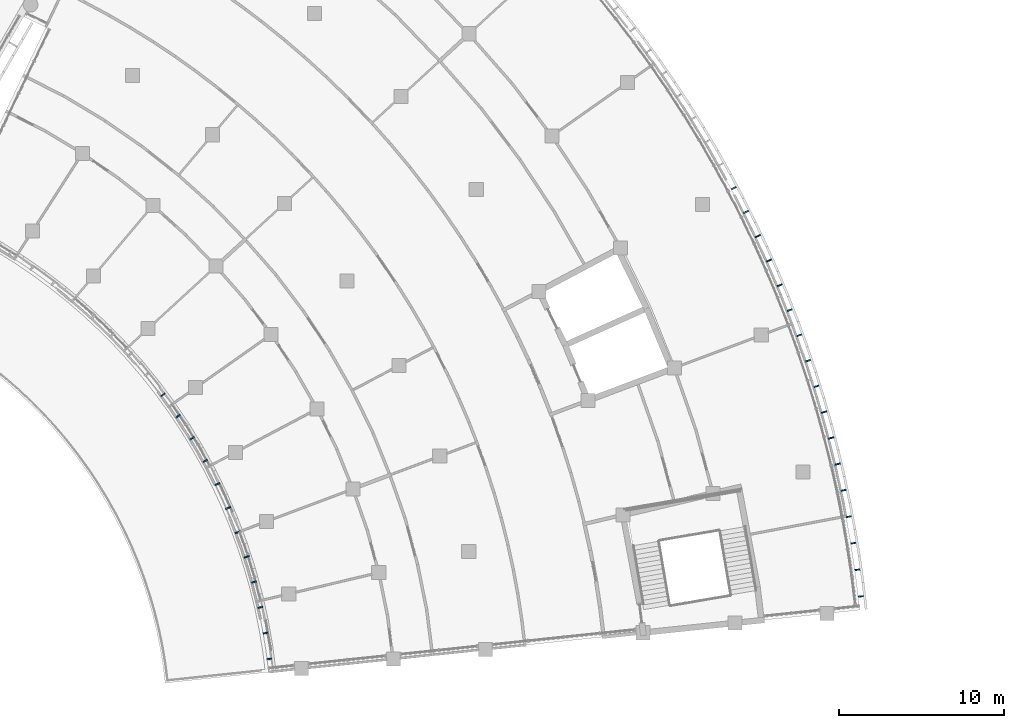
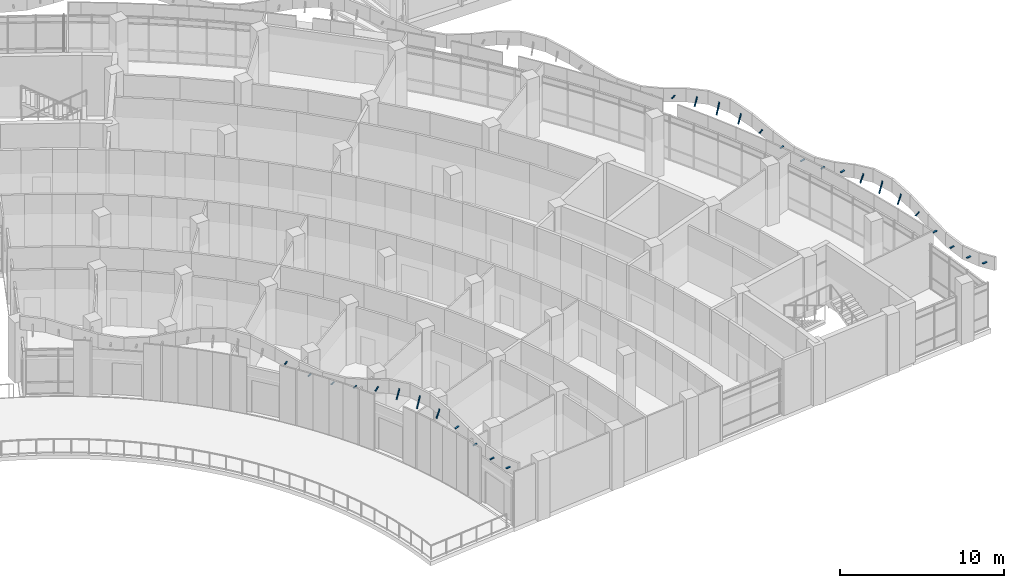
# One storey, part 107 of 136: 29 discrete accessories.
"""IFC4 building model written with IfcOpenShell, lengths in metres."""

from ifc_helpers import new_model, si_unit, direction, frame, origin, origin_2d, place, context, subcontext, project, spatial, rectangle, extrude, material, material_profile, profile_set, type_object, element, save


model = new_model("IFC4")

# Units and contexts
model_context = context("Model", 3, precision=1e-05, world=origin(), true_north=direction((0.0, 1.0)))
body_context = subcontext(model_context, "Body", "Model", "MODEL_VIEW")
ifc_project = project(units=[si_unit("LENGTHUNIT", "METRE"), si_unit("AREAUNIT", "SQUARE_METRE"), si_unit("VOLUMEUNIT", "CUBIC_METRE"), si_unit("PLANEANGLEUNIT", "RADIAN"), si_unit("MASSUNIT", "GRAM", prefix="KILO")], contexts=[model_context])

# Site, building, storey
site_placement = place(None, origin())
site = spatial("IfcSite", under=ifc_project, at=site_placement, CompositionType="ELEMENT")
building_placement = place(site_placement, origin())
building = spatial("IfcBuilding", under=site, at=building_placement, Name="Bougainvillea Quay General Hospital", CompositionType="ELEMENT")
storey_placement = place(building_placement, frame((0.0, 0.0, 5.39990234375)))
storey = spatial("IfcBuildingStorey", under=building, at=storey_placement, Name="L01", CompositionType="ELEMENT", Elevation=5.39990234375)

# Discrete accessories
ifc_material = material(Name="Stainless steel bracket, grade 316", Category="steel")
ifc_material_profile = material_profile(ifc_material, rectangle(XDim=0.080078125, YDim=0.050048828125, at=origin_2d()))
ifc_profile_set = profile_set([ifc_material_profile], Name="Stainless steel bracket, grade 316")
discrete_accessory_type = type_object("IfcDiscreteAccessoryType", Name="Stainless steel stand-off bracket 80x50", PredefinedType="BRACKET", material=ifc_profile_set)
for number, where, z_axis, x_axis, name in (
    (1, (136.49560546875, 42.256591796875, 4.320556640625), (0.802922012097, 0.596084090117, 0.0), (-0.596084090117, 0.802922012097, 0.0), "Fascia bracket a21 11"),
    (2, (137.406005859375, 40.968505859375, 3.87353515625), (0.82991408649, 0.557891216139, 0.0), (-0.557891216139, 0.82991408649, 0.0), "Fascia bracket a21 12"),
):
    element("IfcDiscreteAccessory", number, at=place(storey_placement, frame(where, z_axis=z_axis, x_axis=x_axis)), inside=storey, type_object=discrete_accessory_type, Name=name, PredefinedType="BRACKET", context=body_context, shape_type="SweptSolid", body=[
        extrude(rectangle(XDim=0.080078125, YDim=0.050048828125, at=origin_2d()), origin(), (0.0, 0.0, 1.0), 0.2998046875),
    ])
discrete_accessory_1_placement = place(storey_placement, frame((138.255615234375, 39.639404296875, 3.770751953125), z_axis=(0.85460693144, 0.51927544977, 0.0), x_axis=(-0.51927544977, 0.85460693144, 0.0)))
element("IfcDiscreteAccessory", 3, at=discrete_accessory_1_placement, inside=storey, type_object=discrete_accessory_type, Name="Fascia bracket a21 13", PredefinedType="BRACKET", context=body_context, shape_type="SweptSolid", body=[
    extrude(rectangle(XDim=0.080078125, YDim=0.050048828125, at=origin_2d()), origin(), (0.0, 0.0, 1.0), 0.300048828125),
])
discrete_accessory_2_placement = place(storey_placement, frame((139.042724609375, 38.2724609375, 4.068603515625), z_axis=(0.877895572914, 0.478852130681, 0.0), x_axis=(-0.478852130681, 0.877895572914, 0.0)))
element("IfcDiscreteAccessory", 4, at=discrete_accessory_2_placement, inside=storey, type_object=discrete_accessory_type, Name="Fascia bracket a21 14", PredefinedType="BRACKET", context=body_context, shape_type="SweptSolid", body=[
    extrude(rectangle(XDim=0.080078125, YDim=0.050048828125, at=origin_2d()), origin(), (0.0, 0.0, 1.0), 0.2998046875),
])
discrete_accessory_3_placement = place(storey_placement, frame((139.765380859375, 36.870361328125, 4.440185546875), z_axis=(0.789682669888, 0.384478983167, 0.478097471633), x_axis=(-0.437750214358, 0.899096629862, 0.0)))
element("IfcDiscreteAccessory", 5, at=discrete_accessory_3_placement, inside=storey, type_object=discrete_accessory_type, Name="Fascia bracket a21 15", PredefinedType="BRACKET", context=body_context, shape_type="SweptSolid", body=[
    extrude(rectangle(XDim=0.080078125, YDim=0.050048828125, at=origin_2d()), origin(), (0.0, 0.0, 1.0), 0.341552734375),
])
discrete_accessory_4_placement = place(storey_placement, frame((140.42236328125, 35.436279296875, 4.440185546875), z_axis=(0.389264848396, 0.167566622073, 0.905756206145), x_axis=(-0.39539162244, 0.918512637313, 0.0)))
element("IfcDiscreteAccessory", 6, at=discrete_accessory_4_placement, inside=storey, type_object=discrete_accessory_type, Name="Fascia bracket a21 16", PredefinedType="BRACKET", context=body_context, shape_type="SweptSolid", body=[
    extrude(rectangle(XDim=0.080078125, YDim=0.050048828125, at=origin_2d()), origin(), (0.0, 0.0, 1.0), 0.7080078125),
])
discrete_accessory_5_placement = place(storey_placement, frame((141.01220703125, 33.973388671875, 4.440185546875), z_axis=(0.328588622924, 0.123720759762, 0.936334710715), x_axis=(-0.352371686123, 0.935860136355, 0.0)))
element("IfcDiscreteAccessory", 7, at=discrete_accessory_5_placement, inside=storey, type_object=discrete_accessory_type, Name="Fascia bracket a21 17", PredefinedType="BRACKET", context=body_context, shape_type="SweptSolid", body=[
    extrude(rectangle(XDim=0.080078125, YDim=0.050048828125, at=origin_2d()), origin(), (0.0, 0.0, 1.0), 0.8544921875),
])
discrete_accessory_6_placement = place(storey_placement, frame((141.533447265625, 32.484619140625, 4.440185546875), z_axis=(0.454265057195, 0.14727669519, 0.878608463916), x_axis=(-0.308405198137, 0.951255083436, 0.0)))
element("IfcDiscreteAccessory", 8, at=discrete_accessory_6_placement, inside=storey, type_object=discrete_accessory_type, Name="Fascia bracket a21 18", PredefinedType="BRACKET", context=body_context, shape_type="SweptSolid", body=[
    extrude(rectangle(XDim=0.080078125, YDim=0.050048828125, at=origin_2d()), origin(), (0.0, 0.0, 1.0), 0.628173828125),
])
discrete_accessory_7_placement = place(storey_placement, frame((141.98486328125, 30.97314453125, 4.440185546875), z_axis=(0.958428039941, 0.262638375195, 0.111520294698), x_axis=(-0.264286955841, 0.96444409116, 0.0)))
element("IfcDiscreteAccessory", 9, at=discrete_accessory_7_placement, inside=storey, type_object=discrete_accessory_type, Name="Fascia bracket a21 19", PredefinedType="BRACKET", context=body_context, shape_type="SweptSolid", body=[
    extrude(rectangle(XDim=0.080078125, YDim=0.050048828125, at=origin_2d()), origin(), (0.0, 0.0, 1.0), 0.302001953125),
])
for number, where, z_axis, x_axis, name in (
    (10, (142.365966796875, 29.442626953125, 3.969970703125), (0.975744639725, 0.218911849947, 0.0), (-0.218911849947, 0.975744639725, 0.0), "Fascia bracket a21 20"),
    (11, (142.675537109375, 27.895751953125, 3.757080078125), (0.984857215631, 0.173367427214, 0.0), (-0.173367427214, 0.984857215631, 0.0), "Fascia bracket a21 21"),
    (12, (142.9130859375, 26.33642578125, 3.951171875), (0.991807819427, 0.127738989048, 0.0), (-0.127738989048, 0.991807819427, 0.0), "Fascia bracket a21 22"),
    (13, (178.72265625, 30.123779296875, 4.392333984375), (0.993305209587, 0.115519524784, 0.0), (-0.115519524784, 0.993305209587, 0.0), "Fascia bracket a23 1"),
):
    element("IfcDiscreteAccessory", number, at=place(storey_placement, frame(where, z_axis=z_axis, x_axis=x_axis)), inside=storey, type_object=discrete_accessory_type, Name=name, PredefinedType="BRACKET", context=body_context, shape_type="SweptSolid", body=[
        extrude(rectangle(XDim=0.080078125, YDim=0.050048828125, at=origin_2d()), origin(), (0.0, 0.0, 1.0), 0.300048828125),
    ])
discrete_accessory_8_placement = place(storey_placement, frame((178.515625, 31.734619140625, 3.91015625), z_axis=(0.990256578838, 0.139254831399, 0.0), x_axis=(-0.139254831399, 0.990256578838, 0.0)))
element("IfcDiscreteAccessory", 14, at=discrete_accessory_8_placement, inside=storey, type_object=discrete_accessory_type, Name="Fascia bracket a23 2", PredefinedType="BRACKET", context=body_context, shape_type="SweptSolid", body=[
    extrude(rectangle(XDim=0.080078125, YDim=0.050048828125, at=origin_2d()), origin(), (0.0, 0.0, 1.0), 0.2998046875),
])
for number, where, z_axis, x_axis, name in (
    (15, (178.27099609375, 33.34033203125, 3.765869140625), (0.986808496328, 0.161891913248, 0.0), (-0.161891913248, 0.986808496328, 0.0), "Fascia bracket a23 3"),
    (16, (177.9892578125, 34.93994140625, 4.04345703125), (0.982798426124, 0.184681492326, 0.0), (-0.184681492326, 0.982798426124, 0.0), "Fascia bracket a23 4"),
):
    element("IfcDiscreteAccessory", number, at=place(storey_placement, frame(where, z_axis=z_axis, x_axis=x_axis)), inside=storey, type_object=discrete_accessory_type, Name=name, PredefinedType="BRACKET", context=body_context, shape_type="SweptSolid", body=[
        extrude(rectangle(XDim=0.080078125, YDim=0.050048828125, at=origin_2d()), origin(), (0.0, 0.0, 1.0), 0.300048828125),
    ])
discrete_accessory_9_placement = place(storey_placement, frame((177.67041015625, 36.532470703125, 4.440185546875), z_axis=(0.882958704969, 0.187316530588, 0.430460733038), x_axis=(-0.207527808066, 0.978229118806, 0.0)))
element("IfcDiscreteAccessory", 17, at=discrete_accessory_9_placement, inside=storey, type_object=discrete_accessory_type, Name="Fascia bracket a23 5", PredefinedType="BRACKET", context=body_context, shape_type="SweptSolid", body=[
    extrude(rectangle(XDim=0.080078125, YDim=0.050048828125, at=origin_2d()), origin(), (0.0, 0.0, 1.0), 0.332275390625),
])
discrete_accessory_10_placement = place(storey_placement, frame((177.31494140625, 38.1171875, 4.440185546875), z_axis=(0.415615918947, 0.098343900553, 0.904207877173), x_axis=(-0.230263632702, 0.973128285199, 0.0)))
element("IfcDiscreteAccessory", 18, at=discrete_accessory_10_placement, inside=storey, type_object=discrete_accessory_type, Name="Fascia bracket a23 6", PredefinedType="BRACKET", context=body_context, shape_type="SweptSolid", body=[
    extrude(rectangle(XDim=0.080078125, YDim=0.050048828125, at=origin_2d()), origin(), (0.0, 0.0, 1.0), 0.70263671875),
])
discrete_accessory_11_placement = place(storey_placement, frame((176.922607421875, 39.693359375, 4.440185546875), z_axis=(0.340911134042, 0.0891701957, 0.935856973519), x_axis=(-0.253051177421, 0.96745289374, 0.0)))
element("IfcDiscreteAccessory", 19, at=discrete_accessory_11_placement, inside=storey, type_object=discrete_accessory_type, Name="Fascia bracket a23 7", PredefinedType="BRACKET", context=body_context, shape_type="SweptSolid", body=[
    extrude(rectangle(XDim=0.080078125, YDim=0.050048828125, at=origin_2d()), origin(), (0.0, 0.0, 1.0), 0.8515625),
])
discrete_accessory_12_placement = place(storey_placement, frame((176.493896484375, 41.260009765625, 4.440185546875), z_axis=(0.470004606166, 0.134514442747, 0.872354019235), x_axis=(-0.275151168114, 0.961400974977, 0.0)))
element("IfcDiscreteAccessory", 20, at=discrete_accessory_12_placement, inside=storey, type_object=discrete_accessory_type, Name="Fascia bracket a23 8", PredefinedType="BRACKET", context=body_context, shape_type="SweptSolid", body=[
    extrude(rectangle(XDim=0.080078125, YDim=0.050048828125, at=origin_2d()), origin(), (0.0, 0.0, 1.0), 0.613525390625),
])
discrete_accessory_13_placement = place(storey_placement, frame((176.02880859375, 42.816162109375, 4.440185546875), z_axis=(0.954608949404, 0.297857523855, 0.001627636742), x_axis=(-0.297857918398, 0.954610213882, 0.0)))
element("IfcDiscreteAccessory", 21, at=discrete_accessory_13_placement, inside=storey, type_object=discrete_accessory_type, Name="Fascia bracket a23 9", PredefinedType="BRACKET", context=body_context, shape_type="SweptSolid", body=[
    extrude(rectangle(XDim=0.080078125, YDim=0.050048828125, at=origin_2d()), origin(), (0.0, 0.0, 1.0), 0.300048828125),
])
discrete_accessory_14_placement = place(storey_placement, frame((175.52783203125, 44.361328125, 3.940185546875), z_axis=(0.947701758077, 0.319157293098, 0.0), x_axis=(-0.319157293098, 0.947701758077, 0.0)))
element("IfcDiscreteAccessory", 22, at=discrete_accessory_14_placement, inside=storey, type_object=discrete_accessory_type, Name="Fascia bracket a23 10", PredefinedType="BRACKET", context=body_context, shape_type="SweptSolid", body=[
    extrude(rectangle(XDim=0.080078125, YDim=0.050048828125, at=origin_2d()), origin(), (0.0, 0.0, 1.0), 0.2998046875),
])
for number, where, z_axis, x_axis, name in (
    (23, (174.9912109375, 45.894287109375, 3.76123046875), (0.94005454712, 0.341024117094, 0.0), (-0.341024117094, 0.94005454712, 0.0), "Fascia bracket a23 11"),
    (24, (174.4189453125, 47.414306640625, 4.0068359375), (0.931805989628, 0.362956743558, 0.0), (-0.362956743558, 0.931805989628, 0.0), "Fascia bracket a23 12"),
):
    element("IfcDiscreteAccessory", number, at=place(storey_placement, frame(where, z_axis=z_axis, x_axis=x_axis)), inside=storey, type_object=discrete_accessory_type, Name=name, PredefinedType="BRACKET", context=body_context, shape_type="SweptSolid", body=[
        extrude(rectangle(XDim=0.080078125, YDim=0.050048828125, at=origin_2d()), origin(), (0.0, 0.0, 1.0), 0.300048828125),
    ])
discrete_accessory_15_placement = place(storey_placement, frame((173.811767578125, 48.920654296875, 4.440185546875), z_axis=(0.87947521965, 0.366835783858, 0.303240573971), x_axis=(-0.384962096424, 0.922932383394, 0.0)))
element("IfcDiscreteAccessory", 25, at=discrete_accessory_15_placement, inside=storey, type_object=discrete_accessory_type, Name="Fascia bracket a23 13", PredefinedType="BRACKET", context=body_context, shape_type="SweptSolid", body=[
    extrude(rectangle(XDim=0.080078125, YDim=0.050048828125, at=origin_2d()), origin(), (0.0, 0.0, 1.0), 0.314697265625),
])
discrete_accessory_16_placement = place(storey_placement, frame((173.169677734375, 50.41259765625, 4.440185546875), z_axis=(0.406531825345, 0.180640588466, 0.895600833396), x_axis=(-0.406062961772, 0.913845102344, 0.0)))
element("IfcDiscreteAccessory", 26, at=discrete_accessory_16_placement, inside=storey, type_object=discrete_accessory_type, Name="Fascia bracket a23 14", PredefinedType="BRACKET", context=body_context, shape_type="SweptSolid", body=[
    extrude(rectangle(XDim=0.080078125, YDim=0.050048828125, at=origin_2d()), origin(), (0.0, 0.0, 1.0), 0.67431640625),
])
discrete_accessory_17_placement = place(storey_placement, frame((172.4931640625, 51.889404296875, 4.440185546875), z_axis=(0.317544295288, 0.149768866544, 0.93634123435), x_axis=(-0.426580981793, 0.904449371702, 0.0)))
element("IfcDiscreteAccessory", 27, at=discrete_accessory_17_placement, inside=storey, type_object=discrete_accessory_type, Name="Fascia bracket a23 15", PredefinedType="BRACKET", context=body_context, shape_type="SweptSolid", body=[
    extrude(rectangle(XDim=0.080078125, YDim=0.050048828125, at=origin_2d()), origin(), (0.0, 0.0, 1.0), 0.854248046875),
])
discrete_accessory_18_placement = place(storey_placement, frame((171.78271484375, 53.349853515625, 4.440185546875), z_axis=(0.416080624396, 0.208229611845, 0.885165149988), x_axis=(-0.447539048834, 0.894264390306, 0.0)))
element("IfcDiscreteAccessory", 28, at=discrete_accessory_18_placement, inside=storey, type_object=discrete_accessory_type, Name="Fascia bracket a23 16", PredefinedType="BRACKET", context=body_context, shape_type="SweptSolid", body=[
    extrude(rectangle(XDim=0.080078125, YDim=0.050048828125, at=origin_2d()), origin(), (0.0, 0.0, 1.0), 0.644775390625),
])
discrete_accessory_19_placement = place(storey_placement, frame((171.038330078125, 54.79345703125, 4.440185546875), z_axis=(0.872190409347, 0.462598228162, 0.159018140931), x_axis=(-0.46856034887, 0.8834314911, 0.0)))
element("IfcDiscreteAccessory", 29, at=discrete_accessory_19_placement, inside=storey, type_object=discrete_accessory_type, Name="Fascia bracket a23 17", PredefinedType="BRACKET", context=body_context, shape_type="SweptSolid", body=[
    extrude(rectangle(XDim=0.080078125, YDim=0.050048828125, at=origin_2d()), origin(), (0.0, 0.0, 1.0), 0.303955078125),
])

save(model, "model.ifc")
